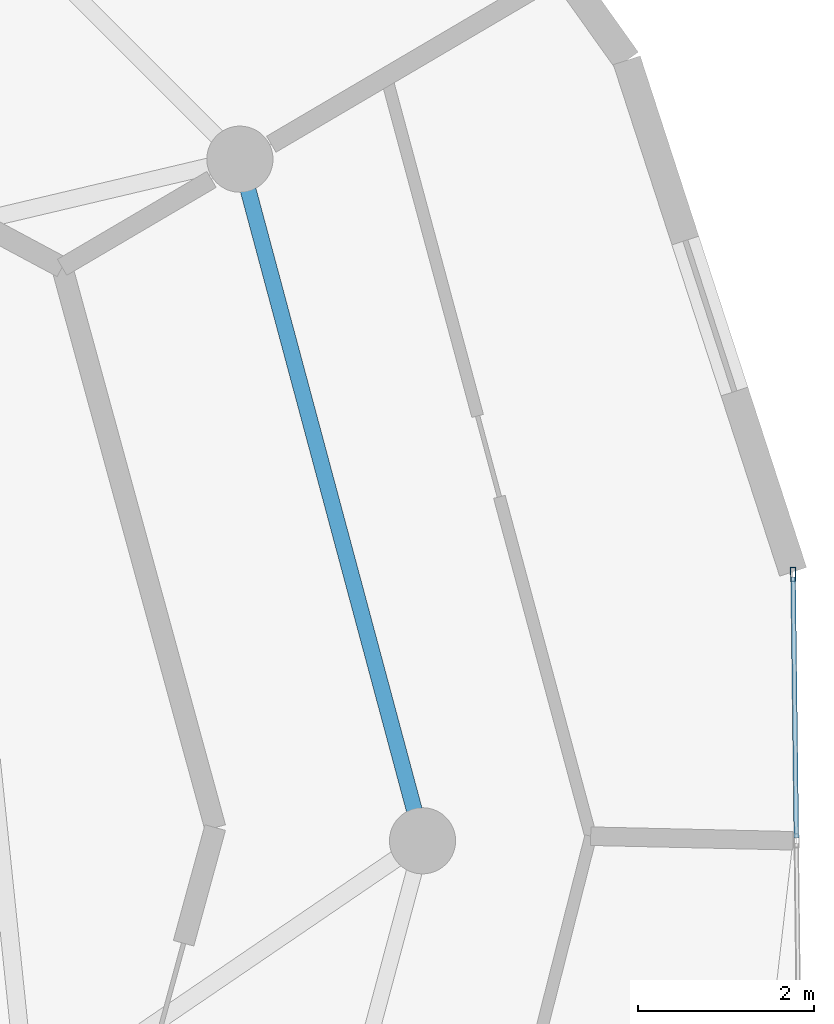
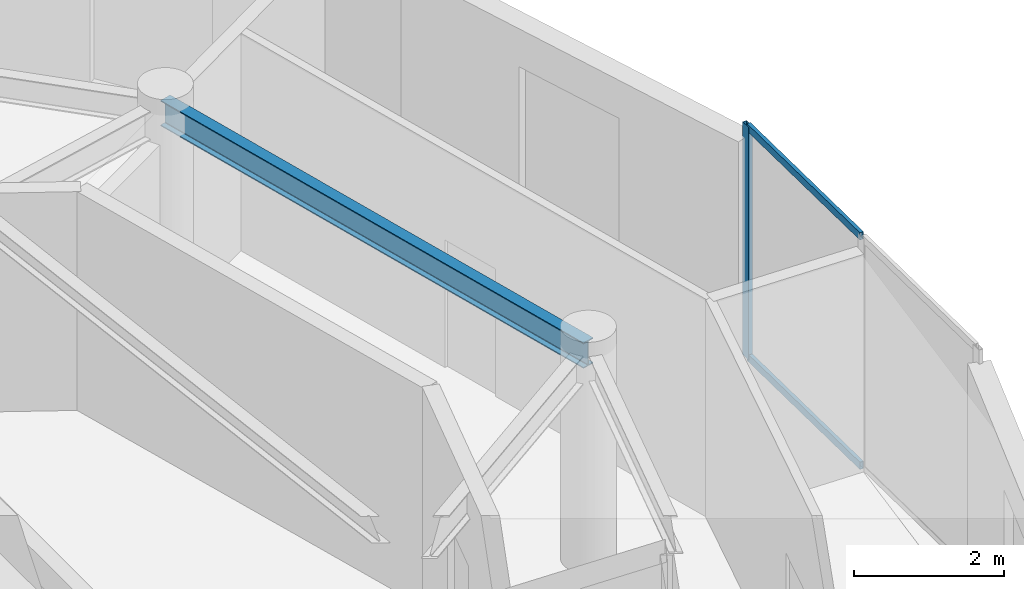
# One storey, part 9 of 18: 3 members, 1 beam, 1 element without a shape of its own.
"""IFC4 building model written with IfcOpenShell, lengths in metres."""

from ifc_helpers import new_model, si_unit, direction, frame, origin, origin_2d, place, context, subcontext, project, spatial, hollow_rectangle, i_section, extrude, source, transform, mapped, material, layer, layer_set, material_profile, profile_set, type_object, element, aggregate, save


model = new_model("IFC4")

# Units and contexts
model_context = context("Model", 3, precision=1e-05, world=origin(), true_north=direction((0.0, 1.0)))
body_context = subcontext(model_context, "Body", "Model", "MODEL_VIEW")
ifc_project = project(units=[si_unit("LENGTHUNIT", "METRE"), si_unit("AREAUNIT", "SQUARE_METRE"), si_unit("VOLUMEUNIT", "CUBIC_METRE"), si_unit("PLANEANGLEUNIT", "RADIAN"), si_unit("MASSUNIT", "GRAM", prefix="KILO")], contexts=[model_context])

# Site, building, storey
site_placement = place(None, origin())
site = spatial("IfcSite", under=ifc_project, at=site_placement, CompositionType="ELEMENT")
building_placement = place(site_placement, origin())
building = spatial("IfcBuilding", under=site, at=building_placement, Name="Solvirekh Grand Hotel", CompositionType="ELEMENT")
storey_placement = place(building_placement, frame((0.0, 0.0, 250.60009765625)))
storey = spatial("IfcBuildingStorey", under=building, at=storey_placement, Name="L65", CompositionType="ELEMENT", Elevation=250.60009765625)

# Beam
ifc_material_1 = material(Name="Steel S355", Category="steel")
ifc_material_profile_1 = material_profile(ifc_material_1, i_section(OverallWidth=0.180908203125, OverallDepth=0.4169921875, WebThickness=0.010009765625, FlangeThickness=0.01611328125, FilletRadius=0.011962890625, at=origin_2d()), Name="W410X85")
ifc_profile_set_1 = profile_set([ifc_material_profile_1], Name="Steel S355")
beam_type = type_object("IfcBeamType", Name="Spandrel_Ring_W410", PredefinedType="SPANDREL", material=ifc_profile_set_1)
beam_placement = place(storey_placement, frame((15.449951171875, 0.0, 3.36181640625), z_axis=(-0.258834757072, 0.965921616143, 0.0), x_axis=(-0.965921616143, -0.258834757072, 0.0)))
element("IfcBeam", 1, at=beam_placement, inside=storey, type_object=beam_type, Name="L65 perimeter spandrel beam 1", PredefinedType="SPANDREL", context=body_context, shape_type="SweptSolid", body=[
    extrude(i_section(OverallWidth=0.180908203125, OverallDepth=0.4169921875, WebThickness=0.010009765625, FlangeThickness=0.01611328125, FilletRadius=0.011962890625, at=origin_2d()), origin(), (0.0, 0.0, 1.0), 7.99755859375),
])

# Curtain wall, members
ifc_material_2 = material(Name="Anodized Bronze Aluminium 6063-T6", Category="aluminium")
ifc_layer = layer(ifc_material_2, 0.159912109375)
ifc_layer_set = layer_set([ifc_layer], Name="Anodized Bronze Aluminium 6063-T6")
curtain_wall_type = type_object("IfcCurtainWallType", Name="CW_Sys4_HighZoneFlushBronzeCW", PredefinedType="NOTDEFINED", material=ifc_layer_set)
curtain_wall_placement = place(storey_placement, origin())
curtain_wall = element("IfcCurtainWall", 2, at=curtain_wall_placement, inside=storey, type_object=curtain_wall_type, Name="L65 unitised bronze-glass curtain wall CW-L65-C05", PredefinedType="NOTDEFINED")
ifc_material_profile_2 = material_profile(ifc_material_2, hollow_rectangle(XDim=0.06005859375, YDim=0.159912109375, WallThickness=0.0048828125, at=origin_2d()), Name="ALU RHS 160X60X5")
ifc_profile_set_2 = profile_set([ifc_material_profile_2], Name="Anodized Bronze Aluminium 6063-T6")
member_type_1 = type_object("IfcMemberType", Name="CWMullion_Sys4", PredefinedType="MULLION", material=ifc_profile_set_2)
shared_shape_1 = source(origin(), body_context, "Body", "SweptSolid", [
    extrude(hollow_rectangle(XDim=0.06005859375, YDim=0.159912109375, WallThickness=0.0048828125, at=origin_2d()), origin(), (0.0, 0.0, 1.0), 3.7998046875),
])
member_1_placement = place(storey_placement, frame((19.650390625, 3.01904296875, 0.0), z_axis=(0.0, 0.0, 1.0), x_axis=(-0.999924275171, -0.012306255446, 0.0)))
member_1 = element("IfcMember", 3, at=member_1_placement, type_object=member_type_1, Name="U04 mullion 3", PredefinedType="MULLION", context=body_context, shape_type="MappedRepresentation", body=[
    mapped(shared_shape_1, transform((0.0, 0.0, 0.0), x_axis=(1.0, 0.0, 0.0), y_axis=(0.0, 1.0, 0.0), z_axis=(0.0, 0.0, 1.0), scale=1.0)),
])
ifc_material_profile_3 = material_profile(ifc_material_2, hollow_rectangle(XDim=0.054931640625, YDim=0.1201171875, WallThickness=0.00390625, at=origin_2d()), Name="ALU RHS 120X55X4")
ifc_profile_set_3 = profile_set([ifc_material_profile_3], Name="Anodized Bronze Aluminium 6063-T6")
member_type_2 = type_object("IfcMemberType", Name="CWTransom_Sys4", PredefinedType="USERDEFINED", material=ifc_profile_set_3)
shared_shape_2 = source(origin(), body_context, "Body", "SweptSolid", [
    extrude(hollow_rectangle(XDim=0.054931640625, YDim=0.1201171875, WallThickness=0.00390625, at=origin_2d()), origin(), (0.0, 0.0, 1.0), 2.957275390625),
])
member_2_placement = place(storey_placement, frame((19.68701171875, 0.031982421875, 0.02734375), z_axis=(-0.012300918658, 0.999924340838, 0.0), x_axis=(-0.999924340838, -0.012300918658, 0.0)))
member_2 = element("IfcMember", 4, at=member_2_placement, type_object=member_type_2, Name="U04 transom 2.1", ObjectType="TRANSOM", PredefinedType="USERDEFINED", context=body_context, shape_type="MappedRepresentation", body=[
    mapped(shared_shape_2, transform((0.0, 0.0, 0.0), x_axis=(1.0, 0.0, 0.0), y_axis=(0.0, 1.0, 0.0), z_axis=(0.0, 0.0, 1.0), scale=1.0)),
])
member_3_placement = place(storey_placement, frame((19.68701171875, 0.031982421875, 3.7724609375), z_axis=(-0.012300918658, 0.999924340838, 0.0), x_axis=(-0.999924340838, -0.012300918658, 0.0)))
member_3 = element("IfcMember", 5, at=member_3_placement, type_object=member_type_2, Name="U04 transom 2.2", ObjectType="TRANSOM", PredefinedType="USERDEFINED", context=body_context, shape_type="MappedRepresentation", body=[
    mapped(shared_shape_2, transform((0.0, 0.0, 0.0), x_axis=(1.0, 0.0, 0.0), y_axis=(0.0, 1.0, 0.0), z_axis=(0.0, 0.0, 1.0), scale=1.0)),
])
aggregate(curtain_wall, [member_1, member_2, member_3])

save(model, "model.ifc")
